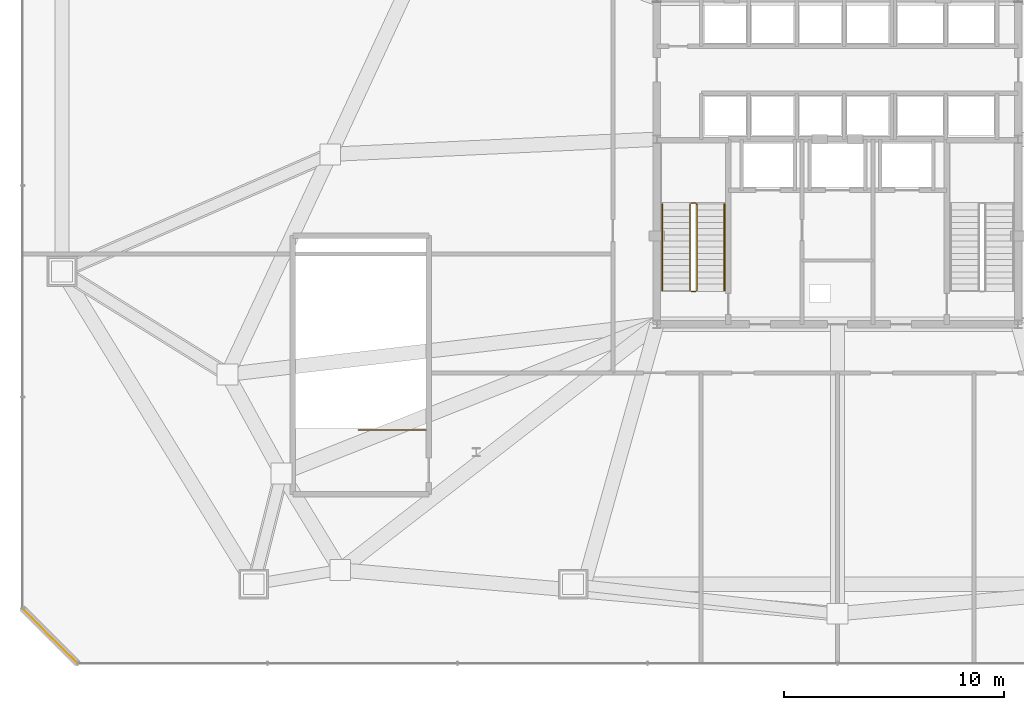
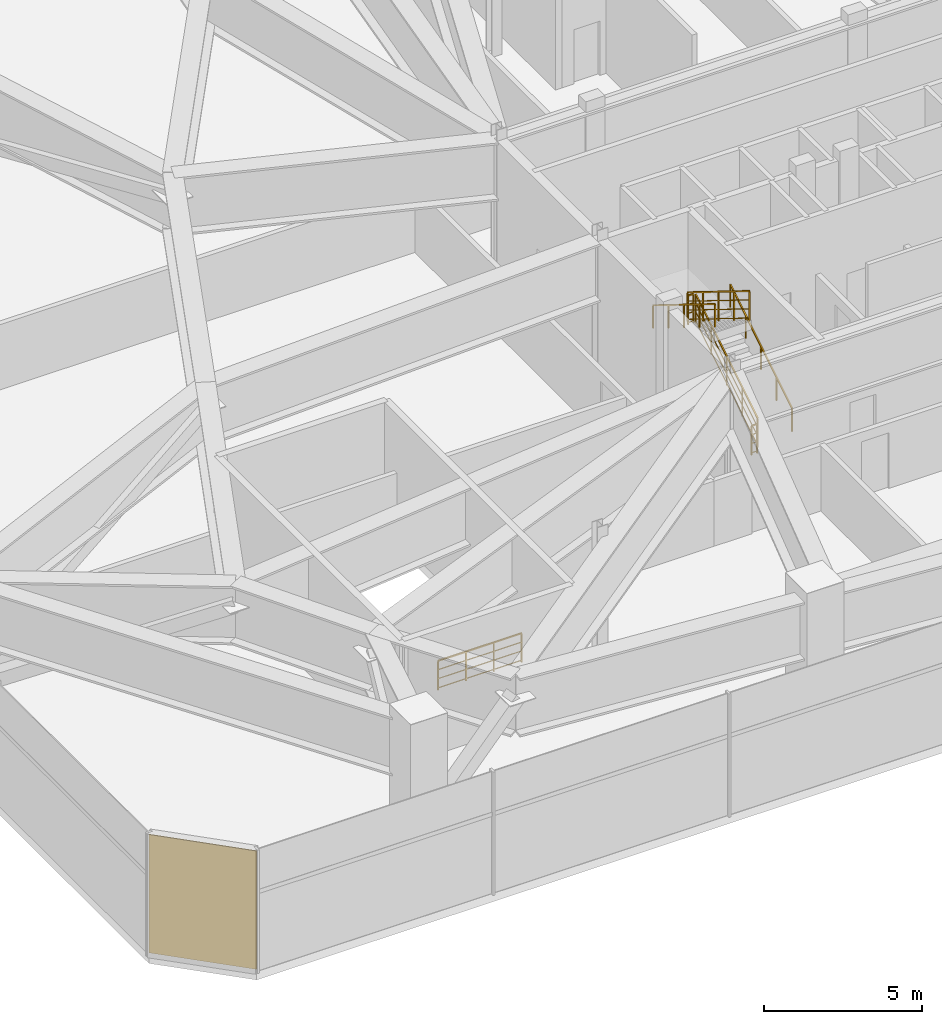
# One storey, part 26 of 29: 7 railings, 1 covering.
"""IFC4 building model written with IfcOpenShell, lengths in metres."""

from ifc_helpers import new_model, si_unit, direction, frame, frame_2d, origin, origin_2d, place, context, subcontext, project, spatial, rectangle, extrude, material, layer, layer_set, type_object, element, save


model = new_model("IFC4")

# Units and contexts
model_context = context("Model", 3, precision=1e-05, world=origin(), true_north=direction((0.0, 1.0)))
body_context = subcontext(model_context, "Body", "Model", "MODEL_VIEW")
ifc_project = project(units=[si_unit("LENGTHUNIT", "METRE"), si_unit("AREAUNIT", "SQUARE_METRE"), si_unit("VOLUMEUNIT", "CUBIC_METRE"), si_unit("PLANEANGLEUNIT", "RADIAN"), si_unit("MASSUNIT", "GRAM", prefix="KILO")], contexts=[model_context])

# Site, building, storey
site_placement = place(None, origin())
site = spatial("IfcSite", under=ifc_project, at=site_placement, CompositionType="ELEMENT")
building_placement = place(site_placement, origin())
building = spatial("IfcBuilding", under=site, at=building_placement, Name="Varakhsha Concourse Tower", CompositionType="ELEMENT")
storey_placement = place(building_placement, frame((0.0, 0.0, 22.0)))
storey = spatial("IfcBuildingStorey", under=building, at=storey_placement, Name="L05", CompositionType="ELEMENT", Elevation=22.0)

# Covering
ifc_material_1 = material(Name="Samarkand Glazed Terracotta Rainscreen Tile 32 mm", Category="masonry")
ifc_layer = layer(ifc_material_1, 0.031982421875, Name="COV-RAINSCREEN-32")
ifc_layer_set = layer_set([ifc_layer], Name="Samarkand Glazed Terracotta Rainscreen Tile 32 mm")
covering_type = type_object("IfcCoveringType", Name="COV-RAINSCREEN-32", PredefinedType="CLADDING", material=ifc_layer_set)
covering_placement = place(storey_placement, frame((3.0, 3.5, 0.10009765625), z_axis=(0.0, 0.0, 1.0), x_axis=(0.707106781187, -0.707106781187, 0.0)))
element("IfcCovering", 1, at=covering_placement, inside=storey, type_object=covering_type, Name="L05 Terracotta Rainscreen Cladding 7", PredefinedType="CLADDING", context=body_context, shape_type="SweptSolid", body=[
    extrude(rectangle(XDim=3.53564453125, YDim=0.031982421875, at=frame_2d((1.767822265625, 0.0))), origin(), (0.0, 0.0, 1.0), 4.579833984375),
])

# Railings
ifc_material_2 = material(Name="Brushed Austenitic Stainless Steel AISI 316", Category="steel")
railing_type_1 = type_object("IfcRailingType", Name="RL-STAIR-GUARD-1100", PredefinedType="GUARDRAIL", material=ifc_material_2)
railing_1_placement = place(storey_placement, frame((33.610107421875, 17.93994140625, 0.17333984375)))
element("IfcRailing", 2, at=railing_1_placement, inside=storey, type_object=railing_type_1, Name="L05 ST1 stair guard 1", PredefinedType="GUARDRAIL", context=body_context, shape_type="SweptSolid", body=[
    extrude(rectangle(XDim=0.048095703125, YDim=0.048095703125, at=origin_2d()), frame((0.0, 0.0, 1.1259765625), z_axis=(0.0, 0.850266275192, 0.526352791643), x_axis=(-1.0, 0.0, 0.0)), (0.0, 0.0, 1.0), 4.610595703125),
    extrude(rectangle(XDim=0.028076171875, YDim=0.028076171875, at=origin_2d()), frame((0.0, 0.0, 0.080078125), z_axis=(0.0, 0.850266275192, 0.526352791643), x_axis=(-1.0, 0.0, 0.0)), (0.0, 0.0, 1.0), 4.610595703125),
    extrude(rectangle(XDim=0.028076171875, YDim=0.028076171875, at=origin_2d()), frame((0.0, 0.0, 0.43701171875), z_axis=(0.0, 0.850266275192, 0.526352791643), x_axis=(-1.0, 0.0, 0.0)), (0.0, 0.0, 1.0), 4.610595703125),
    extrude(rectangle(XDim=0.028076171875, YDim=0.028076171875, at=origin_2d()), frame((0.0, 0.0, 0.781982421875), z_axis=(0.0, 0.850266275192, 0.526352791643), x_axis=(-1.0, 0.0, 0.0)), (0.0, 0.0, 1.0), 4.610595703125),
    extrude(rectangle(XDim=0.0419921875, YDim=0.0419921875, at=origin_2d()), origin(), (0.0, 0.0, 1.0), 1.101806640625),
    extrude(rectangle(XDim=0.0419921875, YDim=0.0419921875, at=origin_2d()), frame((0.0, 0.97998046875, 0.606689453125)), (0.0, 0.0, 1.0), 1.101806640625),
    extrude(rectangle(XDim=0.0419921875, YDim=0.0419921875, at=origin_2d()), frame((0.0, 1.9599609375, 1.21337890625)), (0.0, 0.0, 1.0), 1.101806640625),
    extrude(rectangle(XDim=0.0419921875, YDim=0.0419921875, at=origin_2d()), frame((0.0, 2.940185546875, 1.820068359375)), (0.0, 0.0, 1.0), 1.101806640625),
    extrude(rectangle(XDim=0.0419921875, YDim=0.0419921875, at=origin_2d()), frame((0.0, 3.920166015625, 2.4267578125)), (0.0, 0.0, 1.0), 1.101806640625),
])
railing_2_placement = place(storey_placement, frame((33.56005859375, 21.909912109375, 2.60009765625)))
element("IfcRailing", 3, at=railing_2_placement, inside=storey, type_object=railing_type_1, Name="L05 ST1 stair guard 2", PredefinedType="GUARDRAIL", context=body_context, shape_type="SweptSolid", body=[
    extrude(rectangle(XDim=0.048095703125, YDim=0.048095703125, at=origin_2d()), frame((0.0, 0.0, 1.1259765625), z_axis=(-1.0, 0.0, 0.0), x_axis=(0.0, -1.0, 0.0)), (0.0, 0.0, 1.0), 0.199951171875),
    extrude(rectangle(XDim=0.028076171875, YDim=0.028076171875, at=origin_2d()), frame((0.0, 0.0, 0.080078125), z_axis=(-1.0, 0.0, 0.0), x_axis=(0.0, -1.0, 0.0)), (0.0, 0.0, 1.0), 0.199951171875),
    extrude(rectangle(XDim=0.028076171875, YDim=0.028076171875, at=origin_2d()), frame((0.0, 0.0, 0.43701171875), z_axis=(-1.0, 0.0, 0.0), x_axis=(0.0, -1.0, 0.0)), (0.0, 0.0, 1.0), 0.199951171875),
    extrude(rectangle(XDim=0.028076171875, YDim=0.028076171875, at=origin_2d()), frame((0.0, 0.0, 0.781982421875), z_axis=(-1.0, 0.0, 0.0), x_axis=(0.0, -1.0, 0.0)), (0.0, 0.0, 1.0), 0.199951171875),
    extrude(rectangle(XDim=0.0419921875, YDim=0.0419921875, at=origin_2d()), origin(), (0.0, 0.0, 1.0), 1.101806640625),
    extrude(rectangle(XDim=0.0419921875, YDim=0.0419921875, at=origin_2d()), frame((-0.199951171875, 0.0, 0.0)), (0.0, 0.0, 1.0), 1.101806640625),
])
railing_3_placement = place(storey_placement, frame((33.31005859375, 21.860107421875, 2.7734375)))
element("IfcRailing", 4, at=railing_3_placement, inside=storey, type_object=railing_type_1, Name="L05 ST1 stair guard 3", PredefinedType="GUARDRAIL", context=body_context, shape_type="SweptSolid", body=[
    extrude(rectangle(XDim=0.048095703125, YDim=0.048095703125, at=origin_2d()), frame((0.0, 0.0, 1.1259765625), z_axis=(0.0, -0.850289973577, 0.526314507528), x_axis=(1.0, 0.0, 0.0)), (0.0, 0.0, 1.0), 4.6103515625),
    extrude(rectangle(XDim=0.028076171875, YDim=0.028076171875, at=origin_2d()), frame((0.0, 0.0, 0.080078125), z_axis=(0.0, -0.850289973577, 0.526314507528), x_axis=(1.0, 0.0, 0.0)), (0.0, 0.0, 1.0), 4.6103515625),
    extrude(rectangle(XDim=0.028076171875, YDim=0.028076171875, at=origin_2d()), frame((0.0, 0.0, 0.43701171875), z_axis=(0.0, -0.850289973577, 0.526314507528), x_axis=(1.0, 0.0, 0.0)), (0.0, 0.0, 1.0), 4.6103515625),
    extrude(rectangle(XDim=0.028076171875, YDim=0.028076171875, at=origin_2d()), frame((0.0, 0.0, 0.781982421875), z_axis=(0.0, -0.850289973577, 0.526314507528), x_axis=(1.0, 0.0, 0.0)), (0.0, 0.0, 1.0), 4.6103515625),
    extrude(rectangle(XDim=0.0419921875, YDim=0.0419921875, at=origin_2d()), origin(), (0.0, 0.0, 1.0), 1.101806640625),
    extrude(rectangle(XDim=0.0419921875, YDim=0.0419921875, at=origin_2d()), frame((0.0, -0.97998046875, 0.606689453125)), (0.0, 0.0, 1.0), 1.101806640625),
    extrude(rectangle(XDim=0.0419921875, YDim=0.0419921875, at=origin_2d()), frame((0.0, -1.9599609375, 1.21337890625)), (0.0, 0.0, 1.0), 1.101806640625),
    extrude(rectangle(XDim=0.0419921875, YDim=0.0419921875, at=origin_2d()), frame((0.0, -2.940185546875, 1.81982421875)), (0.0, 0.0, 1.0), 1.101806640625),
    extrude(rectangle(XDim=0.0419921875, YDim=0.0419921875, at=origin_2d()), frame((0.0, -3.920166015625, 2.426513671875)), (0.0, 0.0, 1.0), 1.101806640625),
])
railing_4_placement = place(storey_placement, frame((33.56005859375, 17.889892578125, 0.0)))
element("IfcRailing", 5, at=railing_4_placement, inside=storey, type_object=railing_type_1, Name="L05 ST1 stair guard 4", PredefinedType="GUARDRAIL", context=body_context, shape_type="SweptSolid", body=[
    extrude(rectangle(XDim=0.048095703125, YDim=0.048095703125, at=origin_2d()), frame((0.0, 0.0, 1.1259765625), z_axis=(-1.0, 0.0, 0.0), x_axis=(0.0, -1.0, 0.0)), (0.0, 0.0, 1.0), 0.199951171875),
    extrude(rectangle(XDim=0.028076171875, YDim=0.028076171875, at=origin_2d()), frame((0.0, 0.0, 0.080078125), z_axis=(-1.0, 0.0, 0.0), x_axis=(0.0, -1.0, 0.0)), (0.0, 0.0, 1.0), 0.199951171875),
    extrude(rectangle(XDim=0.028076171875, YDim=0.028076171875, at=origin_2d()), frame((0.0, 0.0, 0.43701171875), z_axis=(-1.0, 0.0, 0.0), x_axis=(0.0, -1.0, 0.0)), (0.0, 0.0, 1.0), 0.199951171875),
    extrude(rectangle(XDim=0.028076171875, YDim=0.028076171875, at=origin_2d()), frame((0.0, 0.0, 0.781982421875), z_axis=(-1.0, 0.0, 0.0), x_axis=(0.0, -1.0, 0.0)), (0.0, 0.0, 1.0), 0.199951171875),
    extrude(rectangle(XDim=0.0419921875, YDim=0.0419921875, at=origin_2d()), origin(), (0.0, 0.0, 1.0), 1.101806640625),
    extrude(rectangle(XDim=0.0419921875, YDim=0.0419921875, at=origin_2d()), frame((-0.199951171875, 0.0, 0.0)), (0.0, 0.0, 1.0), 1.101806640625),
])
railing_5_placement = place(storey_placement, frame((21.320068359375, 11.610107421875, 0.0)))
element("IfcRailing", 6, at=railing_5_placement, inside=storey, type_object=railing_type_1, Name="L05 ST3 top well guard 1", PredefinedType="GUARDRAIL", context=body_context, shape_type="SweptSolid", body=[
    extrude(rectangle(XDim=0.048095703125, YDim=0.048095703125, at=origin_2d()), frame((0.0, 0.0, 1.1259765625), z_axis=(-1.0, 0.0, 0.0), x_axis=(0.0, -1.0, 0.0)), (0.0, 0.0, 1.0), 3.06005859375),
    extrude(rectangle(XDim=0.028076171875, YDim=0.028076171875, at=origin_2d()), frame((0.0, 0.0, 0.080078125), z_axis=(-1.0, 0.0, 0.0), x_axis=(0.0, -1.0, 0.0)), (0.0, 0.0, 1.0), 3.06005859375),
    extrude(rectangle(XDim=0.028076171875, YDim=0.028076171875, at=origin_2d()), frame((0.0, 0.0, 0.43701171875), z_axis=(-1.0, 0.0, 0.0), x_axis=(0.0, -1.0, 0.0)), (0.0, 0.0, 1.0), 3.06005859375),
    extrude(rectangle(XDim=0.028076171875, YDim=0.028076171875, at=origin_2d()), frame((0.0, 0.0, 0.781982421875), z_axis=(-1.0, 0.0, 0.0), x_axis=(0.0, -1.0, 0.0)), (0.0, 0.0, 1.0), 3.06005859375),
    extrude(rectangle(XDim=0.0419921875, YDim=0.0419921875, at=origin_2d()), origin(), (0.0, 0.0, 1.0), 1.101806640625),
    extrude(rectangle(XDim=0.0419921875, YDim=0.0419921875, at=origin_2d()), frame((-1.02001953125, 0.0, 0.0)), (0.0, 0.0, 1.0), 1.101806640625),
    extrude(rectangle(XDim=0.0419921875, YDim=0.0419921875, at=origin_2d()), frame((-2.0400390625, 0.0, 0.0)), (0.0, 0.0, 1.0), 1.101806640625),
    extrude(rectangle(XDim=0.0419921875, YDim=0.0419921875, at=origin_2d()), frame((-3.06005859375, 0.0, 0.0)), (0.0, 0.0, 1.0), 1.101806640625),
])
railing_type_2 = type_object("IfcRailingType", Name="RL-STAIR-RAIL-915", PredefinedType="HANDRAIL", material=ifc_material_2)
railing_6_placement = place(storey_placement, frame((34.8701171875, 17.93994140625, 0.3466796875)))
element("IfcRailing", 7, at=railing_6_placement, inside=storey, type_object=railing_type_2, Name="L05 ST1 stair handrail 1", PredefinedType="HANDRAIL", context=body_context, shape_type="SweptSolid", body=[
    extrude(rectangle(XDim=0.048095703125, YDim=0.048095703125, at=origin_2d()), frame((0.0, 0.0, 0.89111328125), z_axis=(0.0, 0.850266275192, 0.526352791643), x_axis=(-1.0, 0.0, 0.0)), (0.0, 0.0, 1.0), 4.610595703125),
    extrude(rectangle(XDim=0.0419921875, YDim=0.0419921875, at=origin_2d()), origin(), (0.0, 0.0, 1.0), 0.866943359375),
    extrude(rectangle(XDim=0.0419921875, YDim=0.0419921875, at=origin_2d()), frame((0.0, 0.97998046875, 0.606689453125)), (0.0, 0.0, 1.0), 0.866943359375),
    extrude(rectangle(XDim=0.0419921875, YDim=0.0419921875, at=origin_2d()), frame((0.0, 1.9599609375, 1.21337890625)), (0.0, 0.0, 1.0), 0.866943359375),
    extrude(rectangle(XDim=0.0419921875, YDim=0.0419921875, at=origin_2d()), frame((0.0, 2.940185546875, 1.820068359375)), (0.0, 0.0, 1.0), 0.866943359375),
    extrude(rectangle(XDim=0.0419921875, YDim=0.0419921875, at=origin_2d()), frame((0.0, 3.920166015625, 2.4267578125)), (0.0, 0.0, 1.0), 0.866943359375),
])
railing_7_placement = place(storey_placement, frame((32.050048828125, 21.860107421875, 2.94677734375)))
element("IfcRailing", 8, at=railing_7_placement, inside=storey, type_object=railing_type_2, Name="L05 ST1 stair handrail 2", PredefinedType="HANDRAIL", context=body_context, shape_type="SweptSolid", body=[
    extrude(rectangle(XDim=0.048095703125, YDim=0.048095703125, at=origin_2d()), frame((0.0, 0.0, 0.89111328125), z_axis=(0.0, -0.850289973577, 0.526314507528), x_axis=(1.0, 0.0, 0.0)), (0.0, 0.0, 1.0), 4.6103515625),
    extrude(rectangle(XDim=0.0419921875, YDim=0.0419921875, at=origin_2d()), origin(), (0.0, 0.0, 1.0), 0.866943359375),
    extrude(rectangle(XDim=0.0419921875, YDim=0.0419921875, at=origin_2d()), frame((0.0, -0.97998046875, 0.606689453125)), (0.0, 0.0, 1.0), 0.866943359375),
    extrude(rectangle(XDim=0.0419921875, YDim=0.0419921875, at=origin_2d()), frame((0.0, -1.9599609375, 1.21337890625)), (0.0, 0.0, 1.0), 0.866943359375),
    extrude(rectangle(XDim=0.0419921875, YDim=0.0419921875, at=origin_2d()), frame((0.0, -2.940185546875, 1.81982421875)), (0.0, 0.0, 1.0), 0.866943359375),
    extrude(rectangle(XDim=0.0419921875, YDim=0.0419921875, at=origin_2d()), frame((0.0, -3.920166015625, 2.426513671875)), (0.0, 0.0, 1.0), 0.866943359375),
])

save(model, "model.ifc")
